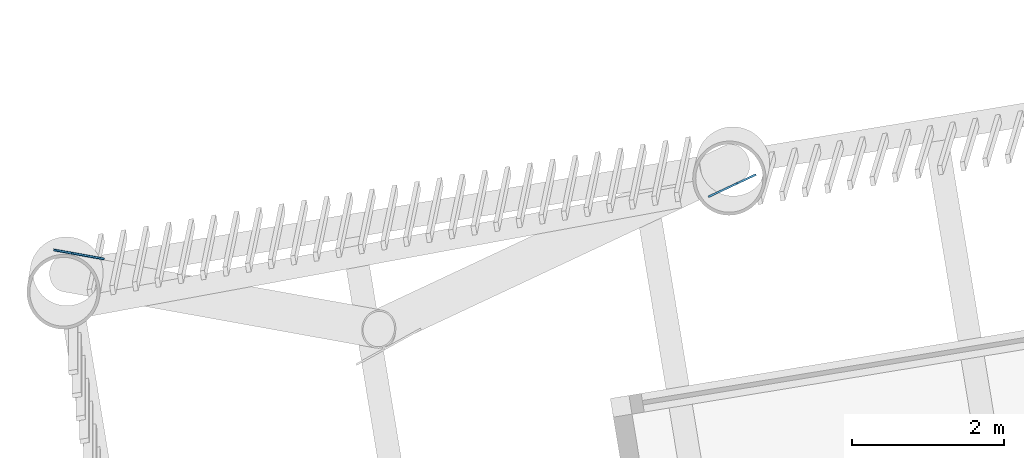
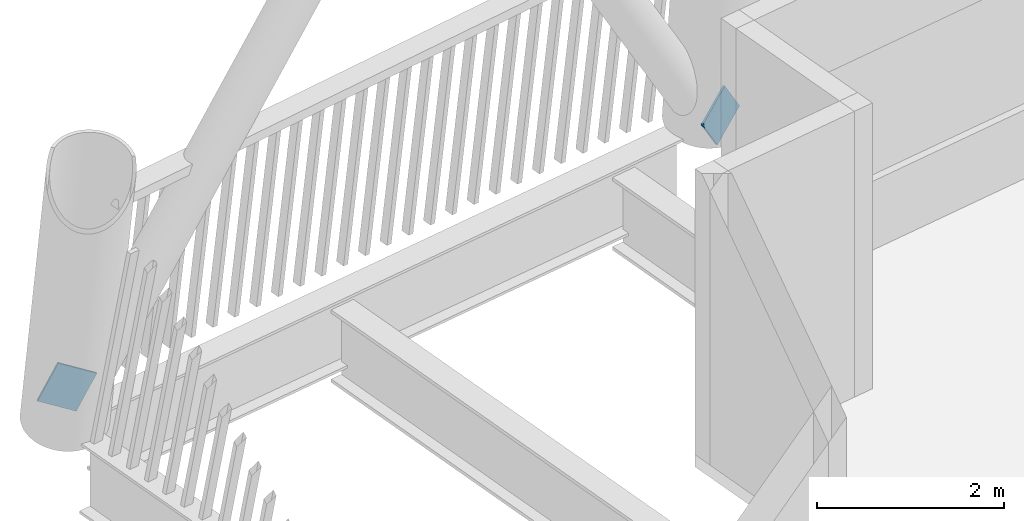
# One storey, part 13 of 23: 2 discrete accessories.
"""IFC4 building model written with IfcOpenShell, lengths in metres."""

from ifc_helpers import new_model, si_unit, direction, frame, origin, origin_2d, place, context, subcontext, project, spatial, rectangle, extrude, material, material_profile, profile_set, type_object, element, save


model = new_model("IFC4")

# Units and contexts
model_context = context("Model", 3, precision=1e-05, world=origin(), true_north=direction((0.0, 1.0)))
body_context = subcontext(model_context, "Body", "Model", "MODEL_VIEW")
ifc_project = project(units=[si_unit("LENGTHUNIT", "METRE"), si_unit("AREAUNIT", "SQUARE_METRE"), si_unit("VOLUMEUNIT", "CUBIC_METRE"), si_unit("PLANEANGLEUNIT", "RADIAN"), si_unit("MASSUNIT", "GRAM", prefix="KILO")], contexts=[model_context])

# Site, building, storey
site_placement = place(None, origin())
site = spatial("IfcSite", under=ifc_project, at=site_placement, CompositionType="ELEMENT")
building_placement = place(site_placement, origin())
building = spatial("IfcBuilding", under=site, at=building_placement, Name="Tarsis Ring Headquarters", CompositionType="ELEMENT")
storey_placement = place(building_placement, frame((0.0, 0.0, 323.60009765625)))
storey = spatial("IfcBuildingStorey", under=building, at=storey_placement, Name="L76", CompositionType="ELEMENT", Elevation=323.60009765625)

# Discrete accessories
ifc_material = material(Name="Structural steel S355", Category="steel")
ifc_material_profile = material_profile(ifc_material, rectangle(XDim=0.02490234375, YDim=0.5, at=origin_2d()), Name="PL 25x500")
ifc_profile_set = profile_set([ifc_material_profile], Name="Structural steel S355")
discrete_accessory_type = type_object("IfcDiscreteAccessoryType", Name="Gusset plate Exo brace 25", PredefinedType="BRACKET", material=ifc_profile_set)
for number, where, z_axis, x_axis, name in (
    (1, (-35.740234375, 8.8486328125, 0.0), (-0.499518328536, -0.234378101366, 0.833995410693), (0.424773937515, -0.905299454329, 0.0), "Gusset plate GP5"),
    (2, (-44.58984375, 7.904296875, 0.0), (0.464865418269, -0.083988289855, 0.88138873947), (0.177793757129, 0.984067772019, 0.0), "Gusset plate GP5"),
):
    element("IfcDiscreteAccessory", number, at=place(storey_placement, frame(where, z_axis=z_axis, x_axis=x_axis)), inside=storey, type_object=discrete_accessory_type, Name=name, PredefinedType="BRACKET", context=body_context, shape_type="SweptSolid", body=[
        extrude(rectangle(XDim=0.02490234375, YDim=0.5, at=origin_2d()), origin(), (0.0, 0.0, 1.0), 0.5),
    ])

save(model, "model.ifc")
